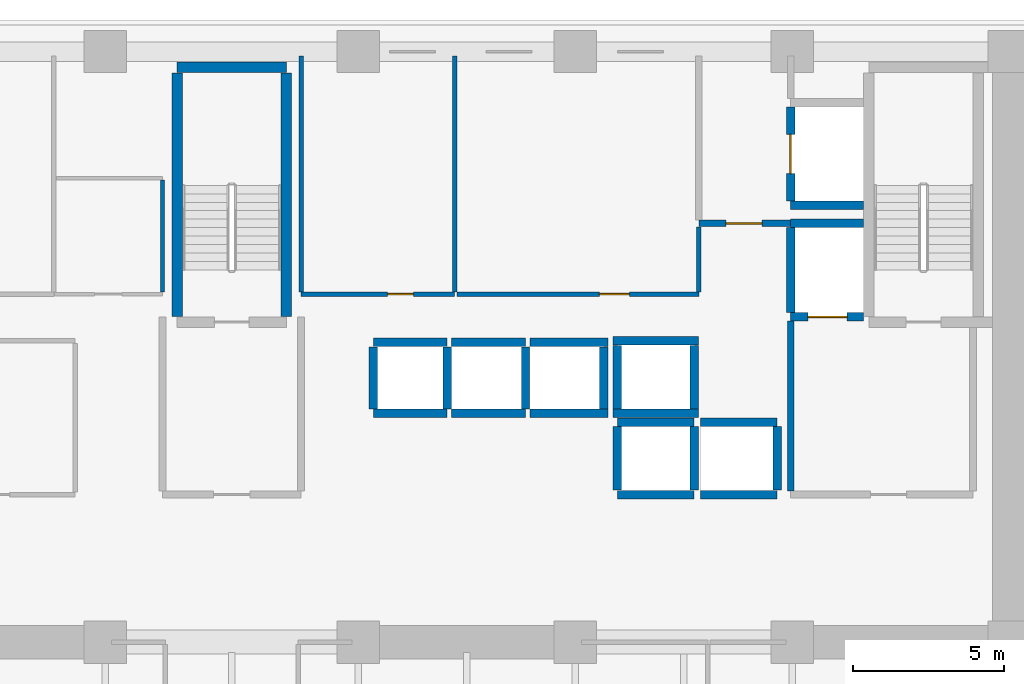
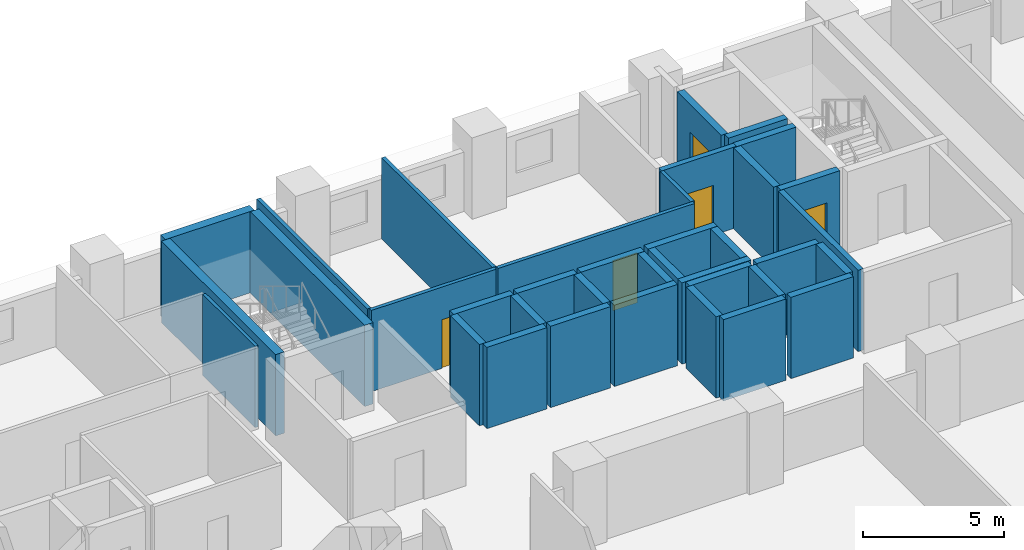
# One storey, part 8 of 15: 37 walls, 5 doors, 5 openings.
"""IFC4 building model written with IfcOpenShell, lengths in metres."""

import ifcopenshell
import ifcopenshell.guid

model = None  # the IFC model being written
_history = None  # IfcOwnerHistory: only IFC2X3 demands one
_inside = {}  # id of a spatial element -> (the spatial element, [elements in it])
_under = {}  # id of a project, library or spatial element -> (it, [spatial elements below it])
_declared = {}  # id of a project -> (the project, [libraries it declares])
_typed = {}  # id of a type object -> (the type object, [elements of that type])
_made_of = {}  # id of a material, layer set ... -> (it, [elements and type objects made of it])


def new_model(schema):
    """Start an empty IFC model of exactly this schema.

    Asked for "IFC4X3", IfcOpenShell would pick the latest addendum, in which some entities
    have other attributes; the version numbers below select the first issue.
    IFC2X3 requires an IfcOwnerHistory on every rooted entity: one is made here for all.
    """
    global model, _history
    if schema == "IFC4X3":
        model = ifcopenshell.file(schema_version=(4, 3, 0, 0))
    else:
        model = ifcopenshell.file(schema=schema)
    _inside.clear()
    _under.clear()
    _declared.clear()
    _typed.clear()
    _made_of.clear()
    _history = None
    if model.schema == "IFC2X3":
        org = make("IfcOrganization", Name="unknown")
        user = make(
            "IfcPersonAndOrganization",
            ThePerson=make("IfcPerson", FamilyName="unknown"),
            TheOrganization=org,
        )
        app = make(
            "IfcApplication",
            ApplicationDeveloper=org,
            Version="unknown",
            ApplicationFullName="unknown",
            ApplicationIdentifier="unknown",
        )
        _history = make(
            "IfcOwnerHistory",
            OwningUser=user,
            OwningApplication=app,
            ChangeAction="ADDED",
            CreationDate=0,
        )
    return model


def make(cls, **values):
    """One entity of the class cls with the attributes given. An attribute that is None is left unset."""
    return model.create_entity(
        cls, **{name: value for name, value in values.items() if value is not None}
    )


def rooted(cls, **values):
    """An entity with a GlobalId (a new one), such as an element, a storey or a relation."""
    return make(cls, GlobalId=ifcopenshell.guid.new(), OwnerHistory=_history, **values)


def si_unit(unit_type, name, prefix=None):
    """IfcSIUnit, for example si_unit("LENGTHUNIT", "METRE", prefix="MILLI")."""
    return make("IfcSIUnit", UnitType=unit_type, Prefix=prefix, Name=name)


def assignment(units):
    """IfcUnitAssignment: the units of a project."""
    return None if units is None else make("IfcUnitAssignment", Units=units)


def point(xyz):
    """IfcCartesianPoint."""
    return None if xyz is None else make("IfcCartesianPoint", Coordinates=xyz)


def direction(xyz):
    """IfcDirection."""
    return None if xyz is None else make("IfcDirection", DirectionRatios=xyz)


def frame(location, z_axis=None, x_axis=None):
    """IfcAxis2Placement3D, a coordinate frame: its origin and axes. An axis left out is left unset."""
    return make(
        "IfcAxis2Placement3D",
        Location=point(location),
        Axis=direction(z_axis),
        RefDirection=direction(x_axis),
    )


def frame_2d(location, x_axis=None):
    """IfcAxis2Placement2D, a coordinate frame in the plane: its origin and x axis."""
    return make(
        "IfcAxis2Placement2D", Location=point(location), RefDirection=direction(x_axis)
    )


def origin():
    """The frame at (0, 0, 0) with its axes left unset."""
    return frame((0.0, 0.0, 0.0))


def place(relative_to, where):
    """IfcLocalPlacement: puts the frame where relative to a parent placement (None: the world)."""
    return make(
        "IfcLocalPlacement", PlacementRelTo=relative_to, RelativePlacement=where
    )


def context(
    kind, dimensions, precision=None, world=None, true_north=None, identifier=None
):
    """IfcGeometricRepresentationContext, for example the 3D "Model" context."""
    return make(
        "IfcGeometricRepresentationContext",
        ContextIdentifier=identifier,
        ContextType=kind,
        CoordinateSpaceDimension=dimensions,
        Precision=precision,
        WorldCoordinateSystem=world,
        TrueNorth=true_north,
    )


def subcontext(parent, identifier, kind, view, scale=None):
    """IfcGeometricRepresentationSubContext, for example "Body" below "Model"."""
    return make(
        "IfcGeometricRepresentationSubContext",
        ContextIdentifier=identifier,
        ContextType=kind,
        ParentContext=parent,
        TargetScale=scale,
        TargetView=view,
    )


def project(units=None, contexts=None):
    """IfcProject with its units and contexts."""
    return rooted(
        "IfcProject",
        Name="project",
        RepresentationContexts=contexts,
        UnitsInContext=assignment(units),
    )


def spatial(cls, under=None, at=None, **own):
    """A site, building, storey or space (cls), placed at a placement, below another one or the project."""
    s = rooted(cls, ObjectPlacement=at, **own)
    if under is not None:
        _under.setdefault(under.id(), (under, []))[1].append(s)
    return s


def profile(cls, at=None, kind="AREA", **sizes):
    """A parametric profile (cls). Its sizes go by their IFC names, for example OverallWidth=200.0."""
    return make(cls, ProfileType=kind, Position=at, **sizes)


def rectangle(**sizes):
    """IfcRectangleProfileDef."""
    return profile("IfcRectangleProfileDef", **sizes)


def extrude(swept, where, along, depth):
    """IfcExtrudedAreaSolid: the profile swept, set in the frame where, extruded along a direction by depth."""
    return make(
        "IfcExtrudedAreaSolid",
        SweptArea=swept,
        Position=where,
        ExtrudedDirection=direction(along),
        Depth=depth,
    )


def shape(context_of_items, identifier, shape_type, items):
    """IfcShapeRepresentation: the items that make up one representation, for example the "Body"."""
    return make(
        "IfcShapeRepresentation",
        ContextOfItems=context_of_items,
        RepresentationIdentifier=identifier,
        RepresentationType=shape_type,
        Items=items,
    )


def material(Name=None, Category=None):
    """IfcMaterial."""
    return make("IfcMaterial", Name=Name, Category=Category)


def layer(
    of_material, thickness, ventilated=None, Name=None, Category=None, Priority=None
):
    """IfcMaterialLayer: one layer of a wall or slab, of a material (None: an air gap)."""
    return make(
        "IfcMaterialLayer",
        Material=of_material,
        LayerThickness=thickness,
        IsVentilated=ventilated,
        Name=Name,
        Category=Category,
        Priority=Priority,
    )


def layer_set(layers, Name=None):
    """IfcMaterialLayerSet."""
    return make("IfcMaterialLayerSet", MaterialLayers=layers, LayerSetName=Name)


def made_of(thing, what):
    """Note that an element or type object is made of a material, layer set ...; save() writes the relation."""
    if what is not None:
        _made_of.setdefault(what.id(), (what, []))[1].append(thing)
    return thing


def type_object(cls, material=None, **own):
    """A type object (cls), such as IfcWallType, which elements share."""
    return made_of(rooted(cls, **own), material)


def element(
    cls,
    number,
    at=None,
    inside=None,
    cuts=None,
    type_object=None,
    material=None,
    context=None,
    identifier="Body",
    shape_type=None,
    held_by="IfcProductDefinitionShape",
    body=None,
    shapes=None,
    **own,
):
    """One element of the class cls, such as IfcWall. Its Tag is "e" and its number.

    at: its placement. inside: the storey or other place that contains it. cuts: it is an
    opening in that element (IfcRelVoidsElement). A single representation is given by context,
    identifier, shape_type and body (its items); several are given by shapes. held_by: the class
    of the entity that holds the representations. save() writes the other relations.
    """
    e = rooted(cls, Tag="e%d" % number, ObjectPlacement=at, **own)
    if body is not None:
        shapes = [shape(context, identifier, shape_type, body)]
    if shapes is not None:
        e.Representation = make(held_by, Representations=shapes)
    if inside is not None:
        _inside.setdefault(inside.id(), (inside, []))[1].append(e)
    if cuts is not None:
        rooted(
            "IfcRelVoidsElement", RelatingBuildingElement=cuts, RelatedOpeningElement=e
        )
    if type_object is not None:
        _typed.setdefault(type_object.id(), (type_object, []))[1].append(e)
    return made_of(e, material)


def fill(opening, filler):
    """IfcRelFillsElement: the door or window that sits in an opening."""
    return rooted(
        "IfcRelFillsElement",
        RelatingOpeningElement=opening,
        RelatedBuildingElement=filler,
    )


def aggregate(whole, parts):
    """IfcRelAggregates: a whole, such as a stair, and the parts it consists of."""
    return rooted("IfcRelAggregates", RelatingObject=whole, RelatedObjects=parts)


def save(model, path):
    """Write the relations noted so far, then the file.

    IfcRelAggregates (storeys below a building ...), IfcRelContainedInSpatialStructure (elements
    in a storey), IfcRelDefinesByType, IfcRelAssociatesMaterial and IfcRelDeclares: one each for
    every whole, place, type object, material and project.
    """
    for whole, parts in _under.values():
        aggregate(whole, parts)
    for where, things in _inside.values():
        rooted(
            "IfcRelContainedInSpatialStructure",
            RelatedElements=things,
            RelatingStructure=where,
        )
    for kind, things in _typed.values():
        rooted("IfcRelDefinesByType", RelatedObjects=things, RelatingType=kind)
    for what, things in _made_of.values():
        rooted("IfcRelAssociatesMaterial", RelatedObjects=things, RelatingMaterial=what)
    for by, libraries in _declared.values():
        rooted("IfcRelDeclares", RelatingContext=by, RelatedDefinitions=libraries)
    model.write(path)


model = new_model("IFC4")

# Units and contexts
model_context = context("Model", 3, precision=1e-05, world=origin(), true_north=direction((0.0, 1.0)))
body_context = subcontext(model_context, "Body", "Model", "MODEL_VIEW")
ifc_project = project(units=[si_unit("LENGTHUNIT", "METRE"), si_unit("AREAUNIT", "SQUARE_METRE"), si_unit("VOLUMEUNIT", "CUBIC_METRE"), si_unit("PLANEANGLEUNIT", "RADIAN"), si_unit("MASSUNIT", "GRAM", prefix="KILO")], contexts=[model_context])

# Site, building, storey
site_placement = place(None, origin())
site = spatial("IfcSite", under=ifc_project, at=site_placement, CompositionType="ELEMENT")
building_placement = place(site_placement, origin())
building = spatial("IfcBuilding", under=site, at=building_placement, Name="Kaelvorn Grand Hotel", CompositionType="ELEMENT")
storey_placement = place(building_placement, frame((0.0, 0.0, 57.64990234375)))
storey = spatial("IfcBuildingStorey", under=building, at=storey_placement, Name="L12", CompositionType="ELEMENT", Elevation=57.64990234375)

# Wall
ifc_material_1 = material(Name="Moisture-Resistant Tile & Stud Board")
ifc_layer_1 = layer(ifc_material_1, 0.125)
ifc_layer_set_1 = layer_set([ifc_layer_1], Name="Moisture-Resistant Tile & Stud Board")
wall_type_1 = type_object("IfcWallType", Name="WL-PART-125-WET", PredefinedType="PARTITIONING", material=ifc_layer_set_1)
wall_1_placement = place(storey_placement, frame((39.699951171875, 41.017578125, 0.0), z_axis=(0.0, 0.0, 1.0), x_axis=(0.0, 1.0, 0.0)))
element("IfcWall", 1, at=wall_1_placement, inside=storey, type_object=wall_type_1, Name="L12 Accessible WC E Partition", PredefinedType="PARTITIONING", context=body_context, shape_type="SweptSolid", body=[
    extrude(rectangle(XDim=3.71484375, YDim=0.125, at=frame_2d((1.857421875, 0.0))), origin(), (0.0, 0.0, 1.0), 3.510009765625),
])

# Wall, opening, door
ifc_material_2 = material(Name="Acoustic Gypsum & Stud Partition")
ifc_layer_2 = layer(ifc_material_2, 0.14990234375)
ifc_layer_set_2 = layer_set([ifc_layer_2], Name="Acoustic Gypsum & Stud Partition")
wall_type_2 = type_object("IfcWallType", Name="WL-PART-150-EI60", PredefinedType="PARTITIONING", material=ifc_layer_set_2)
wall_2_placement = place(storey_placement, frame((44.300048828125, 40.949951171875, 0.0), z_axis=(0.0, 0.0, 1.0), x_axis=(1.0, 0.0, 0.0)))
wall_2 = element("IfcWall", 2, at=wall_2_placement, inside=storey, type_object=wall_type_2, Name="L12 Laundry Chute Vestibule S Partition", PredefinedType="PARTITIONING", context=body_context, shape_type="SweptSolid", body=[
    extrude(rectangle(XDim=5.099853515625, YDim=0.14990234375, at=frame_2d((2.5498046875, 0.0))), origin(), (0.0, 0.0, 1.0), 3.510009765625),
])
opening_1_placement = place(wall_2_placement, frame((2.875, 0.0, 0.0)))
opening_1 = element("IfcOpeningElement", 3, at=opening_1_placement, cuts=wall_2, Name="Opening DI7", PredefinedType="OPENING", context=body_context, shape_type="SweptSolid", body=[
    extrude(rectangle(XDim=0.85009765625, YDim=2.10009765625, at=frame_2d((0.425048828125, 1.050048828125))), frame((0.0, 0.0849609375, 0.0), z_axis=(0.0, -1.0, 0.0), x_axis=(1.0, 0.0, 0.0)), (0.0, 0.0, 1.0), 0.169921875),
])
ifc_material_3 = material(Name="Powder-Coated Steel Leaf", Category="steel")
door_type_1 = type_object("IfcDoorType", Name="DR-INT-RISER-850x2100", OperationType="NOTDEFINED", PredefinedType="DOOR", material=ifc_material_3)
door_1_placement = place(opening_1_placement, origin())
door_1 = element("IfcDoor", 4, at=door_1_placement, inside=storey, type_object=door_type_1, Name="L12 Laundry Chute Vestibule Door", OperationType="SINGLE_SWING_RIGHT", OverallHeight=2.10009765625, OverallWidth=0.85009765625, PredefinedType="DOOR", context=body_context, shape_type="SweptSolid", body=[
    extrude(rectangle(XDim=0.85009765625, YDim=2.10009765625, at=frame_2d((0.425048828125, 1.050048828125))), frame((0.0, 0.02490234375, 0.0), z_axis=(0.0, -1.0, 0.0), x_axis=(1.0, 0.0, 0.0)), (0.0, 0.0, 1.0), 0.050048828125),
])
fill(opening_1, door_1)

# Walls
for number, where, z_axis, x_axis, name in (
    (5, (44.300048828125, 41.030029296875, 0.0), (0.0, 0.0, 1.0), (0.0, 1.0, 0.0), "L12 Laundry Chute Vestibule W Partition"),
    (6, (49.39990234375, 41.030029296875, 0.0), (0.0, 0.0, 1.0), (0.0, 1.0, 0.0), "L12 Laundry Chute Vestibule E Partition"),
):
    element("IfcWall", number, at=place(storey_placement, frame(where, z_axis=z_axis, x_axis=x_axis)), inside=storey, type_object=wall_type_2, Name=name, PredefinedType="PARTITIONING", context=body_context, shape_type="SweptSolid", body=[
        extrude(rectangle(XDim=7.820068359375, YDim=0.14990234375, at=frame_2d((3.91015625, 0.0))), origin(), (0.0, 0.0, 1.0), 3.510009765625),
    ])

# Wall, opening, door
wall_3_placement = place(storey_placement, frame((49.47998046875, 40.949951171875, 0.0), z_axis=(0.0, 0.0, 1.0), x_axis=(1.0, 0.0, 0.0)))
wall_3 = element("IfcWall", 7, at=wall_3_placement, inside=storey, type_object=wall_type_2, Name="L12 Butler Servery Pantry S Partition", PredefinedType="PARTITIONING", context=body_context, shape_type="SweptSolid", body=[
    extrude(rectangle(XDim=8.02001953125, YDim=0.14990234375, at=frame_2d((4.010009765625, 0.0))), origin(), (0.0, 0.0, 1.0), 3.510009765625),
])
opening_2_placement = place(wall_3_placement, frame((4.719970703125, 0.0, 0.0)))
opening_2 = element("IfcOpeningElement", 8, at=opening_2_placement, cuts=wall_3, Name="Opening DI3", PredefinedType="OPENING", context=body_context, shape_type="SweptSolid", body=[
    extrude(rectangle(XDim=1.0, YDim=2.14990234375, at=frame_2d((0.5, 1.074951171875))), frame((0.0, 0.0849609375, 0.0), z_axis=(0.0, -1.0, 0.0), x_axis=(1.0, 0.0, 0.0)), (0.0, 0.0, 1.0), 0.169921875),
])
ifc_material_4 = material(Name="Timber Veneer Fire Leaf", Category="wood")
door_type_2 = type_object("IfcDoorType", Name="DR-INT-GUEST-1000x2150", OperationType="NOTDEFINED", PredefinedType="DOOR", material=ifc_material_4)
door_2_placement = place(opening_2_placement, origin())
door_2 = element("IfcDoor", 9, at=door_2_placement, inside=storey, type_object=door_type_2, Name="L12 Butler Servery Pantry Door", OperationType="SINGLE_SWING_LEFT", OverallHeight=2.14990234375, OverallWidth=1.0, PredefinedType="DOOR", context=body_context, shape_type="SweptSolid", body=[
    extrude(rectangle(XDim=1.0, YDim=2.14990234375, at=frame_2d((0.5, 1.074951171875))), frame((0.0, 0.02490234375, 0.0), z_axis=(0.0, -1.0, 0.0), x_axis=(1.0, 0.0, 0.0)), (0.0, 0.0, 1.0), 0.050048828125),
])
fill(opening_2, door_2)

# Walls
wall_4_placement = place(storey_placement, frame((57.5, 41.030029296875, 0.0), z_axis=(0.0, 0.0, 1.0), x_axis=(0.0, 1.0, 0.0)))
element("IfcWall", 10, at=wall_4_placement, inside=storey, type_object=wall_type_2, Name="L12 Butler Servery Pantry E Partition", PredefinedType="PARTITIONING", context=body_context, shape_type="SweptSolid", body=[
    extrude(rectangle(XDim=2.155029296875, YDim=0.14990234375, at=frame_2d((1.07763671875, 0.0))), origin(), (0.0, 0.0, 1.0), 3.510009765625),
])
ifc_material_5 = material(Name="Concrete C40/50", Category="concrete")
ifc_layer_3 = layer(ifc_material_5, 0.219970703125)
ifc_layer_set_3 = layer_set([ifc_layer_3], Name="Concrete C40/50")
wall_type_3 = type_object("IfcWallType", Name="WL-PART-220-EI120", PredefinedType="PARTITIONING", material=ifc_layer_set_3)
wall_5_placement = place(storey_placement, frame((60.550048828125, 34.4150390625, 0.0), z_axis=(0.0, 0.0, 1.0), x_axis=(0.0, 1.0, 0.0)))
element("IfcWall", 11, at=wall_5_placement, inside=storey, type_object=wall_type_3, Name="L12 Firefighting Lift Lobby 2 W Partition", PredefinedType="PARTITIONING", context=body_context, shape_type="SweptSolid", body=[
    extrude(rectangle(XDim=5.639892578125, YDim=0.219970703125, at=frame_2d((2.81982421875, 0.0))), origin(), (0.0, 0.0, 1.0), 3.510009765625),
])

# Wall, opening, door
wall_6_placement = place(storey_placement, frame((57.5, 43.300048828125, 0.0), z_axis=(0.0, 0.0, 1.0), x_axis=(1.0, 0.0, 0.0)))
wall_6 = element("IfcWall", 12, at=wall_6_placement, inside=storey, type_object=wall_type_3, Name="L12 Service Lift Lobby S Partition", PredefinedType="PARTITIONING", context=body_context, shape_type="SweptSolid", body=[
    extrude(rectangle(XDim=3.0400390625, YDim=0.219970703125, at=frame_2d((1.52001953125, 0.0))), origin(), (0.0, 0.0, 1.0), 3.510009765625),
])
opening_3_placement = place(wall_6_placement, frame((0.89990234375, 0.0, 0.0)))
opening_3 = element("IfcOpeningElement", 13, at=opening_3_placement, cuts=wall_6, Name="Opening DI2", PredefinedType="OPENING", context=body_context, shape_type="SweptSolid", body=[
    extrude(rectangle(XDim=1.199951171875, YDim=2.14990234375, at=frame_2d((0.60009765625, 1.074951171875))), frame((0.0, 0.1201171875, 0.0), z_axis=(0.0, -1.0, 0.0), x_axis=(1.0, 0.0, 0.0)), (0.0, 0.0, 1.0), 0.239990234375),
])
door_type_3 = type_object("IfcDoorType", Name="DR-INT-FFLOB-1200x2150", OperationType="NOTDEFINED", PredefinedType="DOOR", material=ifc_material_4)
door_3_placement = place(opening_3_placement, origin())
door_3 = element("IfcDoor", 14, at=door_3_placement, inside=storey, type_object=door_type_3, Name="L12 Service Lift Lobby Door", OperationType="SINGLE_SWING_LEFT", OverallHeight=2.14990234375, OverallWidth=1.199951171875, PredefinedType="DOOR", context=body_context, shape_type="SweptSolid", body=[
    extrude(rectangle(XDim=1.199951171875, YDim=2.14990234375, at=frame_2d((0.60009765625, 1.074951171875))), frame((0.0, 0.02490234375, 0.0), z_axis=(0.0, -1.0, 0.0), x_axis=(1.0, 0.0, 0.0)), (0.0, 0.0, 1.0), 0.050048828125),
])
fill(opening_3, door_3)

# Walls
ifc_material_6 = material(Name="Concrete C50/60", Category="concrete")
ifc_layer_4 = layer(ifc_material_6, 0.280029296875)
ifc_layer_set_4 = layer_set([ifc_layer_4], Name="Concrete C50/60")
wall_type_4 = type_object("IfcWallType", Name="WL-SHAFT-280-C50", PredefinedType="SHEAR", material=ifc_layer_set_4)
for number, where, z_axis, x_axis, name in (
    (15, (46.699951171875, 37.0, 0.0), (0.0, 0.0, 1.0), (1.0, 0.0, 0.0), "L12 Lift SL-1 Shaft South Wall"),
    (16, (46.699951171875, 39.35009765625, 0.0), (0.0, 0.0, 1.0), (1.0, 0.0, 0.0), "L12 Lift SL-1 Shaft North Wall"),
):
    element("IfcWall", number, at=place(storey_placement, frame(where, z_axis=z_axis, x_axis=x_axis)), inside=storey, type_object=wall_type_4, Name=name, PredefinedType="SHEAR", context=body_context, shape_type="SweptSolid", body=[
        extrude(rectangle(XDim=2.449951171875, YDim=0.280029296875, at=frame_2d((1.22509765625, 0.0))), origin(), (0.0, 0.0, 1.0), 3.510009765625),
    ])
for number, where, z_axis, x_axis, name in (
    (17, (46.699951171875, 37.14501953125, 0.0), (0.0, 0.0, 1.0), (0.0, 1.0, 0.0), "L12 Lift SL-1 Shaft West Wall"),
    (18, (49.14990234375, 37.14501953125, 0.0), (0.0, 0.0, 1.0), (0.0, 1.0, 0.0), "L12 Lift SL-1 Shaft East Wall"),
):
    element("IfcWall", number, at=place(storey_placement, frame(where, z_axis=z_axis, x_axis=x_axis)), inside=storey, type_object=wall_type_4, Name=name, PredefinedType="SHEAR", context=body_context, shape_type="SweptSolid", body=[
        extrude(rectangle(XDim=2.06005859375, YDim=0.280029296875, at=frame_2d((1.030029296875, 0.0))), origin(), (0.0, 0.0, 1.0), 3.510009765625),
    ])
for number, where, z_axis, x_axis, name in (
    (19, (49.300048828125, 37.0, 0.0), (0.0, 0.0, 1.0), (1.0, 0.0, 0.0), "L12 Lift SL-2 Shaft South Wall"),
    (20, (49.300048828125, 39.35009765625, 0.0), (0.0, 0.0, 1.0), (1.0, 0.0, 0.0), "L12 Lift SL-2 Shaft North Wall"),
):
    element("IfcWall", number, at=place(storey_placement, frame(where, z_axis=z_axis, x_axis=x_axis)), inside=storey, type_object=wall_type_4, Name=name, PredefinedType="SHEAR", context=body_context, shape_type="SweptSolid", body=[
        extrude(rectangle(XDim=2.449951171875, YDim=0.280029296875, at=frame_2d((1.22509765625, 0.0))), origin(), (0.0, 0.0, 1.0), 3.510009765625),
    ])
wall_7_placement = place(storey_placement, frame((51.75, 37.14501953125, 0.0), z_axis=(0.0, 0.0, 1.0), x_axis=(0.0, 1.0, 0.0)))
element("IfcWall", 21, at=wall_7_placement, inside=storey, type_object=wall_type_4, Name="L12 Lift SL-2 Shaft East Wall", PredefinedType="SHEAR", context=body_context, shape_type="SweptSolid", body=[
    extrude(rectangle(XDim=2.06005859375, YDim=0.280029296875, at=frame_2d((1.030029296875, 0.0))), origin(), (0.0, 0.0, 1.0), 3.510009765625),
])
for number, where, z_axis, x_axis, name in (
    (22, (51.89990234375, 37.0, 0.0), (0.0, 0.0, 1.0), (1.0, 0.0, 0.0), "L12 Lift SL-3 Shaft South Wall"),
    (23, (51.89990234375, 39.35009765625, 0.0), (0.0, 0.0, 1.0), (1.0, 0.0, 0.0), "L12 Lift SL-3 Shaft North Wall"),
):
    element("IfcWall", number, at=place(storey_placement, frame(where, z_axis=z_axis, x_axis=x_axis)), inside=storey, type_object=wall_type_4, Name=name, PredefinedType="SHEAR", context=body_context, shape_type="SweptSolid", body=[
        extrude(rectangle(XDim=2.590087890625, YDim=0.280029296875, at=frame_2d((1.294921875, 0.0))), origin(), (0.0, 0.0, 1.0), 3.510009765625),
    ])
wall_8_placement = place(storey_placement, frame((54.35009765625, 37.14501953125, 0.0), z_axis=(0.0, 0.0, 1.0), x_axis=(0.0, 1.0, 0.0)))
element("IfcWall", 24, at=wall_8_placement, inside=storey, type_object=wall_type_4, Name="L12 Lift SL-3 Shaft East Wall", PredefinedType="SHEAR", context=body_context, shape_type="SweptSolid", body=[
    extrude(rectangle(XDim=2.06005859375, YDim=0.280029296875, at=frame_2d((1.030029296875, 0.0))), origin(), (0.0, 0.0, 1.0), 3.510009765625),
])
for number, where, z_axis, x_axis, name in (
    (25, (54.800048828125, 34.300048828125, 0.0), (0.0, 0.0, 1.0), (1.0, 0.0, 0.0), "L12 Lift OL-1 Shaft South Wall"),
    (26, (54.800048828125, 36.699951171875, 0.0), (0.0, 0.0, 1.0), (1.0, 0.0, 0.0), "L12 Lift OL-1 Shaft North Wall"),
):
    element("IfcWall", number, at=place(storey_placement, frame(where, z_axis=z_axis, x_axis=x_axis)), inside=storey, type_object=wall_type_4, Name=name, PredefinedType="SHEAR", context=body_context, shape_type="SweptSolid", body=[
        extrude(rectangle(XDim=2.550048828125, YDim=0.280029296875, at=frame_2d((1.27490234375, 0.0))), origin(), (0.0, 0.0, 1.0), 3.510009765625),
    ])
for number, where, z_axis, x_axis, name in (
    (27, (54.800048828125, 34.445068359375, 0.0), (0.0, 0.0, 1.0), (0.0, 1.0, 0.0), "L12 Lift OL-1 Shaft West Wall"),
    (28, (57.35009765625, 34.445068359375, 0.0), (0.0, 0.0, 1.0), (0.0, 1.0, 0.0), "L12 Lift OL-1 Shaft East Wall"),
):
    element("IfcWall", number, at=place(storey_placement, frame(where, z_axis=z_axis, x_axis=x_axis)), inside=storey, type_object=wall_type_4, Name=name, PredefinedType="SHEAR", context=body_context, shape_type="SweptSolid", body=[
        extrude(rectangle(XDim=2.10986328125, YDim=0.280029296875, at=frame_2d((1.054931640625, 0.0))), origin(), (0.0, 0.0, 1.0), 3.510009765625),
    ])
for number, where, z_axis, x_axis, name in (
    (29, (57.550048828125, 34.300048828125, 0.0), (0.0, 0.0, 1.0), (1.0, 0.0, 0.0), "L12 Lift OL-2 Shaft South Wall"),
    (30, (57.550048828125, 36.699951171875, 0.0), (0.0, 0.0, 1.0), (1.0, 0.0, 0.0), "L12 Lift OL-2 Shaft North Wall"),
):
    element("IfcWall", number, at=place(storey_placement, frame(where, z_axis=z_axis, x_axis=x_axis)), inside=storey, type_object=wall_type_4, Name=name, PredefinedType="SHEAR", context=body_context, shape_type="SweptSolid", body=[
        extrude(rectangle(XDim=2.550048828125, YDim=0.280029296875, at=frame_2d((1.27490234375, 0.0))), origin(), (0.0, 0.0, 1.0), 3.510009765625),
    ])
wall_9_placement = place(storey_placement, frame((60.10009765625, 34.445068359375, 0.0), z_axis=(0.0, 0.0, 1.0), x_axis=(0.0, 1.0, 0.0)))
element("IfcWall", 31, at=wall_9_placement, inside=storey, type_object=wall_type_4, Name="L12 Lift OL-2 Shaft East Wall", PredefinedType="SHEAR", context=body_context, shape_type="SweptSolid", body=[
    extrude(rectangle(XDim=2.10986328125, YDim=0.280029296875, at=frame_2d((1.054931640625, 0.0))), origin(), (0.0, 0.0, 1.0), 3.510009765625),
])
for number, where, z_axis, x_axis, name in (
    (32, (54.659912109375, 37.0, 0.0), (0.0, 0.0, 1.0), (1.0, 0.0, 0.0), "L12 Lift OL-3 Shaft South Wall"),
    (33, (54.659912109375, 39.39990234375, 0.0), (0.0, 0.0, 1.0), (1.0, 0.0, 0.0), "L12 Lift OL-3 Shaft North Wall"),
):
    element("IfcWall", number, at=place(storey_placement, frame(where, z_axis=z_axis, x_axis=x_axis)), inside=storey, type_object=wall_type_4, Name=name, PredefinedType="SHEAR", context=body_context, shape_type="SweptSolid", body=[
        extrude(rectangle(XDim=2.830078125, YDim=0.280029296875, at=frame_2d((1.4150390625, 0.0))), origin(), (0.0, 0.0, 1.0), 3.510009765625),
    ])
for number, where, z_axis, x_axis, name in (
    (34, (54.800048828125, 37.14501953125, 0.0), (0.0, 0.0, 1.0), (0.0, 1.0, 0.0), "L12 Lift OL-3 Shaft West Wall"),
    (35, (57.35009765625, 37.14501953125, 0.0), (0.0, 0.0, 1.0), (0.0, 1.0, 0.0), "L12 Lift OL-3 Shaft East Wall"),
):
    element("IfcWall", number, at=place(storey_placement, frame(where, z_axis=z_axis, x_axis=x_axis)), inside=storey, type_object=wall_type_4, Name=name, PredefinedType="SHEAR", context=body_context, shape_type="SweptSolid", body=[
        extrude(rectangle(XDim=2.10986328125, YDim=0.280029296875, at=frame_2d((1.054931640625, 0.0))), origin(), (0.0, 0.0, 1.0), 3.510009765625),
    ])

# Wall, opening, door
wall_10_placement = place(storey_placement, frame((60.550048828125, 40.199951171875, 0.0), z_axis=(0.0, 0.0, 1.0), x_axis=(1.0, 0.0, 0.0)))
wall_10 = element("IfcWall", 36, at=wall_10_placement, inside=storey, type_object=wall_type_4, Name="L12 Lift FFL2 Shaft South Wall", PredefinedType="SHEAR", context=body_context, shape_type="SweptSolid", body=[
    extrude(rectangle(XDim=2.4150390625, YDim=0.280029296875, at=frame_2d((1.20751953125, 0.0))), origin(), (0.0, 0.0, 1.0), 3.510009765625),
])
opening_4_placement = place(wall_10_placement, frame((0.574951171875, 0.0, 0.0)))
opening_4 = element("IfcOpeningElement", 37, at=opening_4_placement, cuts=wall_10, Name="Opening LD-FFL2", PredefinedType="OPENING", context=body_context, shape_type="SweptSolid", body=[
    extrude(rectangle(XDim=1.300048828125, YDim=2.300048828125, at=frame_2d((0.64990234375, 1.14990234375))), frame((0.0, 0.14990234375, 0.0), z_axis=(0.0, -1.0, 0.0), x_axis=(1.0, 0.0, 0.0)), (0.0, 0.0, 1.0), 0.300048828125),
])
ifc_material_7 = material(Name="Stainless Steel", Category="steel")
door_type_4 = type_object("IfcDoorType", Name="DR-LIFT-SERV-1300x2300", OperationType="DOUBLE_DOOR_SLIDING", PredefinedType="DOOR", material=ifc_material_7)
door_4_placement = place(opening_4_placement, origin())
door_4 = element("IfcDoor", 38, at=door_4_placement, inside=storey, type_object=door_type_4, Name="L12 Lift FFL2 Sliding Landing Door LD-FFL2", OperationType="DOUBLE_DOOR_SLIDING", OverallHeight=2.300048828125, OverallWidth=1.300048828125, PredefinedType="DOOR", context=body_context, shape_type="SweptSolid", body=[
    extrude(rectangle(XDim=1.300048828125, YDim=2.300048828125, at=frame_2d((0.64990234375, 1.14990234375))), frame((0.0, 0.02490234375, 0.0), z_axis=(0.0, -1.0, 0.0), x_axis=(1.0, 0.0, 0.0)), (0.0, 0.0, 1.0), 0.050048828125),
])
fill(opening_4, door_4)

# Walls
wall_11_placement = place(storey_placement, frame((60.550048828125, 43.300048828125, 0.0), z_axis=(0.0, 0.0, 1.0), x_axis=(1.0, 0.0, 0.0)))
element("IfcWall", 39, at=wall_11_placement, inside=storey, type_object=wall_type_4, Name="L12 Lift FFL2 Shaft North Wall", PredefinedType="SHEAR", context=body_context, shape_type="SweptSolid", body=[
    extrude(rectangle(XDim=2.4150390625, YDim=0.280029296875, at=frame_2d((1.20751953125, 0.0))), origin(), (0.0, 0.0, 1.0), 3.510009765625),
])
wall_12_placement = place(storey_placement, frame((60.550048828125, 40.344970703125, 0.0), z_axis=(0.0, 0.0, 1.0), x_axis=(0.0, 1.0, 0.0)))
element("IfcWall", 40, at=wall_12_placement, inside=storey, type_object=wall_type_4, Name="L12 Lift FFL2 Shaft West Wall", PredefinedType="SHEAR", context=body_context, shape_type="SweptSolid", body=[
    extrude(rectangle(XDim=2.81005859375, YDim=0.280029296875, at=frame_2d((1.405029296875, 0.0))), origin(), (0.0, 0.0, 1.0), 3.510009765625),
])
wall_13_placement = place(storey_placement, frame((60.550048828125, 43.89990234375, 0.0), z_axis=(0.0, 0.0, 1.0), x_axis=(1.0, 0.0, 0.0)))
element("IfcWall", 41, at=wall_13_placement, inside=storey, type_object=wall_type_4, Name="L12 Lift SV1 Shaft South Wall", PredefinedType="SHEAR", context=body_context, shape_type="SweptSolid", body=[
    extrude(rectangle(XDim=2.4150390625, YDim=0.280029296875, at=frame_2d((1.20751953125, 0.0))), origin(), (0.0, 0.0, 1.0), 3.510009765625),
])

# Wall, opening, door
wall_14_placement = place(storey_placement, frame((60.550048828125, 44.044921875, 0.0), z_axis=(0.0, 0.0, 1.0), x_axis=(0.0, 1.0, 0.0)))
wall_14 = element("IfcWall", 42, at=wall_14_placement, inside=storey, type_object=wall_type_4, Name="L12 Lift SV1 Shaft West Wall", PredefinedType="SHEAR", context=body_context, shape_type="SweptSolid", body=[
    extrude(rectangle(XDim=3.110107421875, YDim=0.280029296875, at=frame_2d((1.55517578125, 0.0))), origin(), (0.0, 0.0, 1.0), 3.510009765625),
])
opening_5_placement = place(wall_14_placement, frame((0.905029296875, 0.0, 0.0)))
opening_5 = element("IfcOpeningElement", 43, at=opening_5_placement, cuts=wall_14, Name="Opening LD-SV1", PredefinedType="OPENING", context=body_context, shape_type="SweptSolid", body=[
    extrude(rectangle(XDim=1.300048828125, YDim=2.300048828125, at=frame_2d((0.64990234375, 1.14990234375))), frame((0.0, 0.14990234375, 0.0), z_axis=(0.0, -1.0, 0.0), x_axis=(1.0, 0.0, 0.0)), (0.0, 0.0, 1.0), 0.300048828125),
])
door_5_placement = place(opening_5_placement, origin())
door_5 = element("IfcDoor", 44, at=door_5_placement, inside=storey, type_object=door_type_4, Name="L12 Lift SV1 Sliding Landing Door LD-SV1", OperationType="DOUBLE_DOOR_SLIDING", OverallHeight=2.300048828125, OverallWidth=1.300048828125, PredefinedType="DOOR", context=body_context, shape_type="SweptSolid", body=[
    extrude(rectangle(XDim=1.300048828125, YDim=2.300048828125, at=frame_2d((0.64990234375, 1.14990234375))), frame((0.0, 0.02490234375, 0.0), z_axis=(0.0, -1.0, 0.0), x_axis=(1.0, 0.0, 0.0)), (0.0, 0.0, 1.0), 0.050048828125),
])
fill(opening_5, door_5)

# Walls
ifc_material_8 = material(Name="Concrete C60/75", Category="concrete")
ifc_layer_5 = layer(ifc_material_8, 0.35009765625)
ifc_layer_set_5 = layer_set([ifc_layer_5], Name="Concrete C60/75")
wall_type_5 = type_object("IfcWallType", Name="WL-SHAFT-350-C60", PredefinedType="SHEAR", material=ifc_layer_set_5)
wall_15_placement = place(storey_placement, frame((40.18505859375, 48.47509765625, 0.0), z_axis=(0.0, 0.0, 1.0), x_axis=(1.0, 0.0, 0.0)))
element("IfcWall", 45, at=wall_15_placement, inside=storey, type_object=wall_type_5, Name="L12 ST2 Stair Shaft North Wall", PredefinedType="SHEAR", context=body_context, shape_type="SweptSolid", body=[
    extrude(rectangle(XDim=3.6298828125, YDim=0.35009765625, at=frame_2d((1.81494140625, 0.0))), origin(), (0.0, 0.0, 1.0), 3.510009765625),
])
for number, where, z_axis, x_axis, name in (
    (46, (40.18505859375, 40.205078125, 0.0), (0.0, 0.0, 1.0), (0.0, 1.0, 0.0), "L12 ST2 Stair Shaft West Wall"),
    (47, (43.81494140625, 40.205078125, 0.0), (0.0, 0.0, 1.0), (0.0, 1.0, 0.0), "L12 ST2 Stair Shaft East Wall"),
):
    element("IfcWall", number, at=place(storey_placement, frame(where, z_axis=z_axis, x_axis=x_axis)), inside=storey, type_object=wall_type_5, Name=name, PredefinedType="SHEAR", context=body_context, shape_type="SweptSolid", body=[
        extrude(rectangle(XDim=8.08984375, YDim=0.35009765625, at=frame_2d((4.044921875, 0.0))), origin(), (0.0, 0.0, 1.0), 3.510009765625),
    ])

save(model, "model.ifc")
